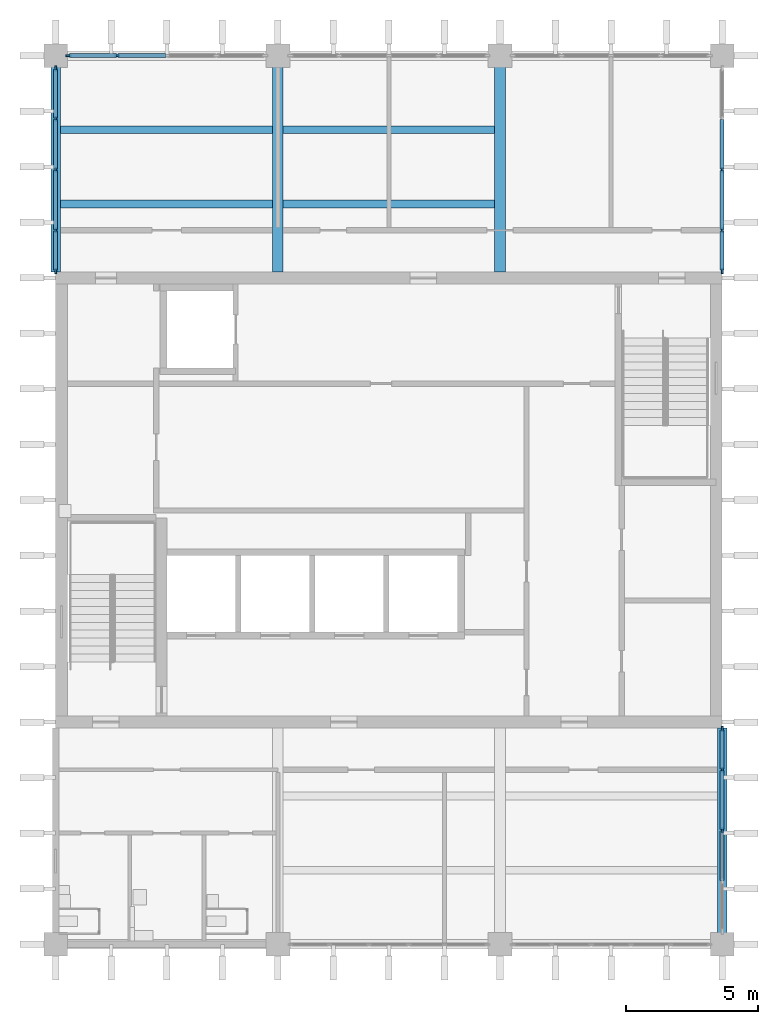
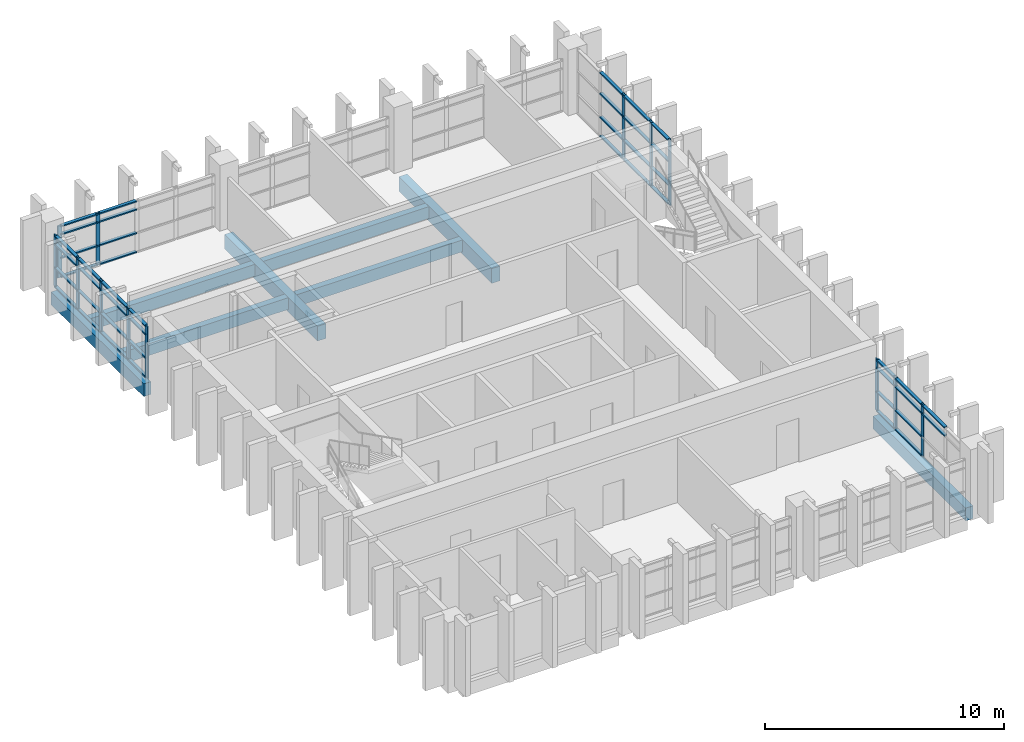
# One storey, part 3 of 10: 59 members, 8 beams, 4 elements without a shape of their own.
"""IFC4 building model written with IfcOpenShell, lengths in metres."""

import ifcopenshell
import ifcopenshell.guid

model = None  # the IFC model being written
_history = None  # IfcOwnerHistory: only IFC2X3 demands one
_inside = {}  # id of a spatial element -> (the spatial element, [elements in it])
_under = {}  # id of a project, library or spatial element -> (it, [spatial elements below it])
_declared = {}  # id of a project -> (the project, [libraries it declares])
_typed = {}  # id of a type object -> (the type object, [elements of that type])
_made_of = {}  # id of a material, layer set ... -> (it, [elements and type objects made of it])


def new_model(schema):
    """Start an empty IFC model of exactly this schema.

    Asked for "IFC4X3", IfcOpenShell would pick the latest addendum, in which some entities
    have other attributes; the version numbers below select the first issue.
    IFC2X3 requires an IfcOwnerHistory on every rooted entity: one is made here for all.
    """
    global model, _history
    if schema == "IFC4X3":
        model = ifcopenshell.file(schema_version=(4, 3, 0, 0))
    else:
        model = ifcopenshell.file(schema=schema)
    _inside.clear()
    _under.clear()
    _declared.clear()
    _typed.clear()
    _made_of.clear()
    _history = None
    if model.schema == "IFC2X3":
        org = make("IfcOrganization", Name="unknown")
        user = make(
            "IfcPersonAndOrganization",
            ThePerson=make("IfcPerson", FamilyName="unknown"),
            TheOrganization=org,
        )
        app = make(
            "IfcApplication",
            ApplicationDeveloper=org,
            Version="unknown",
            ApplicationFullName="unknown",
            ApplicationIdentifier="unknown",
        )
        _history = make(
            "IfcOwnerHistory",
            OwningUser=user,
            OwningApplication=app,
            ChangeAction="ADDED",
            CreationDate=0,
        )
    return model


def make(cls, **values):
    """One entity of the class cls with the attributes given. An attribute that is None is left unset."""
    return model.create_entity(
        cls, **{name: value for name, value in values.items() if value is not None}
    )


def rooted(cls, **values):
    """An entity with a GlobalId (a new one), such as an element, a storey or a relation."""
    return make(cls, GlobalId=ifcopenshell.guid.new(), OwnerHistory=_history, **values)


def si_unit(unit_type, name, prefix=None):
    """IfcSIUnit, for example si_unit("LENGTHUNIT", "METRE", prefix="MILLI")."""
    return make("IfcSIUnit", UnitType=unit_type, Prefix=prefix, Name=name)


def assignment(units):
    """IfcUnitAssignment: the units of a project."""
    return None if units is None else make("IfcUnitAssignment", Units=units)


def point(xyz):
    """IfcCartesianPoint."""
    return None if xyz is None else make("IfcCartesianPoint", Coordinates=xyz)


def direction(xyz):
    """IfcDirection."""
    return None if xyz is None else make("IfcDirection", DirectionRatios=xyz)


def frame(location, z_axis=None, x_axis=None):
    """IfcAxis2Placement3D, a coordinate frame: its origin and axes. An axis left out is left unset."""
    return make(
        "IfcAxis2Placement3D",
        Location=point(location),
        Axis=direction(z_axis),
        RefDirection=direction(x_axis),
    )


def frame_2d(location, x_axis=None):
    """IfcAxis2Placement2D, a coordinate frame in the plane: its origin and x axis."""
    return make(
        "IfcAxis2Placement2D", Location=point(location), RefDirection=direction(x_axis)
    )


def origin():
    """The frame at (0, 0, 0) with its axes left unset."""
    return frame((0.0, 0.0, 0.0))


def origin_2d():
    """The frame at (0, 0) in the plane with its x axis left unset."""
    return frame_2d((0.0, 0.0))


def place(relative_to, where):
    """IfcLocalPlacement: puts the frame where relative to a parent placement (None: the world)."""
    return make(
        "IfcLocalPlacement", PlacementRelTo=relative_to, RelativePlacement=where
    )


def context(
    kind, dimensions, precision=None, world=None, true_north=None, identifier=None
):
    """IfcGeometricRepresentationContext, for example the 3D "Model" context."""
    return make(
        "IfcGeometricRepresentationContext",
        ContextIdentifier=identifier,
        ContextType=kind,
        CoordinateSpaceDimension=dimensions,
        Precision=precision,
        WorldCoordinateSystem=world,
        TrueNorth=true_north,
    )


def subcontext(parent, identifier, kind, view, scale=None):
    """IfcGeometricRepresentationSubContext, for example "Body" below "Model"."""
    return make(
        "IfcGeometricRepresentationSubContext",
        ContextIdentifier=identifier,
        ContextType=kind,
        ParentContext=parent,
        TargetScale=scale,
        TargetView=view,
    )


def project(units=None, contexts=None):
    """IfcProject with its units and contexts."""
    return rooted(
        "IfcProject",
        Name="project",
        RepresentationContexts=contexts,
        UnitsInContext=assignment(units),
    )


def spatial(cls, under=None, at=None, **own):
    """A site, building, storey or space (cls), placed at a placement, below another one or the project."""
    s = rooted(cls, ObjectPlacement=at, **own)
    if under is not None:
        _under.setdefault(under.id(), (under, []))[1].append(s)
    return s


def profile(cls, at=None, kind="AREA", **sizes):
    """A parametric profile (cls). Its sizes go by their IFC names, for example OverallWidth=200.0."""
    return make(cls, ProfileType=kind, Position=at, **sizes)


def rectangle(**sizes):
    """IfcRectangleProfileDef."""
    return profile("IfcRectangleProfileDef", **sizes)


def extrude(swept, where, along, depth):
    """IfcExtrudedAreaSolid: the profile swept, set in the frame where, extruded along a direction by depth."""
    return make(
        "IfcExtrudedAreaSolid",
        SweptArea=swept,
        Position=where,
        ExtrudedDirection=direction(along),
        Depth=depth,
    )


def shape(context_of_items, identifier, shape_type, items):
    """IfcShapeRepresentation: the items that make up one representation, for example the "Body"."""
    return make(
        "IfcShapeRepresentation",
        ContextOfItems=context_of_items,
        RepresentationIdentifier=identifier,
        RepresentationType=shape_type,
        Items=items,
    )


def material(Name=None, Category=None):
    """IfcMaterial."""
    return make("IfcMaterial", Name=Name, Category=Category)


def layer(
    of_material, thickness, ventilated=None, Name=None, Category=None, Priority=None
):
    """IfcMaterialLayer: one layer of a wall or slab, of a material (None: an air gap)."""
    return make(
        "IfcMaterialLayer",
        Material=of_material,
        LayerThickness=thickness,
        IsVentilated=ventilated,
        Name=Name,
        Category=Category,
        Priority=Priority,
    )


def layer_set(layers, Name=None):
    """IfcMaterialLayerSet."""
    return make("IfcMaterialLayerSet", MaterialLayers=layers, LayerSetName=Name)


def material_profile(
    of_material, cross_section, Name=None, Category=None, Priority=None
):
    """IfcMaterialProfile: a cross section and its material."""
    return make(
        "IfcMaterialProfile",
        Name=Name,
        Material=of_material,
        Profile=cross_section,
        Priority=Priority,
        Category=Category,
    )


def profile_set(profiles, Name=None, composite=None):
    """IfcMaterialProfileSet."""
    return make(
        "IfcMaterialProfileSet",
        Name=Name,
        MaterialProfiles=profiles,
        CompositeProfile=composite,
    )


def made_of(thing, what):
    """Note that an element or type object is made of a material, layer set ...; save() writes the relation."""
    if what is not None:
        _made_of.setdefault(what.id(), (what, []))[1].append(thing)
    return thing


def type_object(cls, material=None, **own):
    """A type object (cls), such as IfcWallType, which elements share."""
    return made_of(rooted(cls, **own), material)


def element(
    cls,
    number,
    at=None,
    inside=None,
    cuts=None,
    type_object=None,
    material=None,
    context=None,
    identifier="Body",
    shape_type=None,
    held_by="IfcProductDefinitionShape",
    body=None,
    shapes=None,
    **own,
):
    """One element of the class cls, such as IfcWall. Its Tag is "e" and its number.

    at: its placement. inside: the storey or other place that contains it. cuts: it is an
    opening in that element (IfcRelVoidsElement). A single representation is given by context,
    identifier, shape_type and body (its items); several are given by shapes. held_by: the class
    of the entity that holds the representations. save() writes the other relations.
    """
    e = rooted(cls, Tag="e%d" % number, ObjectPlacement=at, **own)
    if body is not None:
        shapes = [shape(context, identifier, shape_type, body)]
    if shapes is not None:
        e.Representation = make(held_by, Representations=shapes)
    if inside is not None:
        _inside.setdefault(inside.id(), (inside, []))[1].append(e)
    if cuts is not None:
        rooted(
            "IfcRelVoidsElement", RelatingBuildingElement=cuts, RelatedOpeningElement=e
        )
    if type_object is not None:
        _typed.setdefault(type_object.id(), (type_object, []))[1].append(e)
    return made_of(e, material)


def aggregate(whole, parts):
    """IfcRelAggregates: a whole, such as a stair, and the parts it consists of."""
    return rooted("IfcRelAggregates", RelatingObject=whole, RelatedObjects=parts)


def save(model, path):
    """Write the relations noted so far, then the file.

    IfcRelAggregates (storeys below a building ...), IfcRelContainedInSpatialStructure (elements
    in a storey), IfcRelDefinesByType, IfcRelAssociatesMaterial and IfcRelDeclares: one each for
    every whole, place, type object, material and project.
    """
    for whole, parts in _under.values():
        aggregate(whole, parts)
    for where, things in _inside.values():
        rooted(
            "IfcRelContainedInSpatialStructure",
            RelatedElements=things,
            RelatingStructure=where,
        )
    for kind, things in _typed.values():
        rooted("IfcRelDefinesByType", RelatedObjects=things, RelatingType=kind)
    for what, things in _made_of.values():
        rooted("IfcRelAssociatesMaterial", RelatedObjects=things, RelatingMaterial=what)
    for by, libraries in _declared.values():
        rooted("IfcRelDeclares", RelatingContext=by, RelatedDefinitions=libraries)
    model.write(path)


model = new_model("IFC4")

# Units and contexts
model_context = context("Model", 3, precision=1e-05, world=origin(), true_north=direction((0.0, 1.0)))
body_context = subcontext(model_context, "Body", "Model", "MODEL_VIEW")
ifc_project = project(units=[si_unit("LENGTHUNIT", "METRE"), si_unit("AREAUNIT", "SQUARE_METRE"), si_unit("VOLUMEUNIT", "CUBIC_METRE"), si_unit("PLANEANGLEUNIT", "RADIAN"), si_unit("MASSUNIT", "GRAM", prefix="KILO")], contexts=[model_context])

# Site, building, storey
site_placement = place(None, origin())
site = spatial("IfcSite", under=ifc_project, at=site_placement, CompositionType="ELEMENT")
building_placement = place(site_placement, origin())
building = spatial("IfcBuilding", under=site, at=building_placement, Name="Rulbaag Community and Learning Centre", CompositionType="ELEMENT")
storey_placement = place(building_placement, frame((0.0, 0.0, 28.800048828125)))
storey = spatial("IfcBuildingStorey", under=building, at=storey_placement, Name="L07", CompositionType="ELEMENT", Elevation=28.800048828125)

# Beams
ifc_material_1 = material(Name="Concrete M40", Category="concrete")
ifc_material_profile_1 = material_profile(ifc_material_1, rectangle(XDim=0.35009765625, YDim=0.64990234375, at=origin_2d()), Name="RB350x650")
ifc_profile_set_1 = profile_set([ifc_material_profile_1], Name="Concrete M40")
beam_type_1 = type_object("IfcBeamType", Name="B14 Tower edge beam, upper zone 350x650 Concrete M40", PredefinedType="BEAM", material=ifc_profile_set_1)
beam_1_placement = place(storey_placement, frame((142.800048828125, 109.425048828125, -0.574951171875), z_axis=(0.0, 1.0, 0.0), x_axis=(-1.0, 0.0, 0.0)))
element("IfcBeam", 1, at=beam_1_placement, inside=storey, type_object=beam_type_1, Name="BM-L07-18N-18O", PredefinedType="BEAM", context=body_context, shape_type="SweptSolid", body=[
    extrude(rectangle(XDim=0.35009765625, YDim=0.64990234375, at=origin_2d()), origin(), (0.0, 0.0, 1.0), 7.744873046875),
])
beam_2_placement = place(storey_placement, frame((168.0, 84.429931640625, -0.574951171875), z_axis=(0.0, 1.0, 0.0), x_axis=(-1.0, 0.0, 0.0)))
element("IfcBeam", 2, at=beam_2_placement, inside=storey, type_object=beam_type_1, Name="BM-L07-21K-21L", PredefinedType="BEAM", context=body_context, shape_type="SweptSolid", body=[
    extrude(rectangle(XDim=0.35009765625, YDim=0.64990234375, at=origin_2d()), origin(), (0.0, 0.0, 1.0), 7.7451171875),
])
ifc_material_profile_2 = material_profile(ifc_material_1, rectangle(XDim=0.39990234375, YDim=0.75, at=origin_2d()), Name="RB400x750")
ifc_profile_set_2 = profile_set([ifc_material_profile_2], Name="Concrete M40")
beam_type_2 = type_object("IfcBeamType", Name="B15 Tower frame beam, middle zone 400x750 Concrete M40", PredefinedType="BEAM", material=ifc_profile_set_2)
for number, where, z_axis, x_axis, name in (
    (3, (151.199951171875, 109.425048828125, -0.625), (0.0, 1.0, 0.0), (-1.0, 0.0, 0.0), "BM-L07-19N-19O"),
    (4, (159.60009765625, 109.425048828125, -0.625), (0.0, 1.0, 0.0), (-1.0, 0.0, 0.0), "BM-L07-20N-20O"),
):
    element("IfcBeam", number, at=place(storey_placement, frame(where, z_axis=z_axis, x_axis=x_axis)), inside=storey, type_object=beam_type_2, Name=name, PredefinedType="BEAM", context=body_context, shape_type="SweptSolid", body=[
        extrude(rectangle(XDim=0.39990234375, YDim=0.75, at=origin_2d()), origin(), (0.0, 0.0, 1.0), 7.744873046875),
    ])
ifc_material_profile_3 = material_profile(ifc_material_1, rectangle(XDim=0.300048828125, YDim=0.60009765625, at=origin_2d()), Name="RB300x600")
ifc_profile_set_3 = profile_set([ifc_material_profile_3], Name="Concrete M40")
beam_type_3 = type_object("IfcBeamType", Name="B30 Secondary joist 300x600 Concrete M40", PredefinedType="BEAM", material=ifc_profile_set_3)
for number, where, z_axis, x_axis, name in (
    (5, (142.97509765625, 112.0, -0.550048828125), (1.0, 0.0, 0.0), (0.0, 1.0, 0.0), "BM-JS-L07-18N-1"),
    (6, (142.97509765625, 114.800048828125, -0.550048828125), (1.0, 0.0, 0.0), (0.0, 1.0, 0.0), "BM-JS-L07-18N-2"),
):
    element("IfcBeam", number, at=place(storey_placement, frame(where, z_axis=z_axis, x_axis=x_axis)), inside=storey, type_object=beam_type_3, Name=name, PredefinedType="BEAM", context=body_context, shape_type="SweptSolid", body=[
        extrude(rectangle(XDim=0.300048828125, YDim=0.60009765625, at=origin_2d()), origin(), (0.0, 0.0, 1.0), 8.02490234375),
    ])
for number, where, z_axis, x_axis, name in (
    (7, (151.39990234375, 112.0, -0.550048828125), (1.0, 0.0, 0.0), (0.0, 1.0, 0.0), "BM-JS-L07-19N-1"),
    (8, (151.39990234375, 114.800048828125, -0.550048828125), (1.0, 0.0, 0.0), (0.0, 1.0, 0.0), "BM-JS-L07-19N-2"),
):
    element("IfcBeam", number, at=place(storey_placement, frame(where, z_axis=z_axis, x_axis=x_axis)), inside=storey, type_object=beam_type_3, Name=name, PredefinedType="BEAM", context=body_context, shape_type="SweptSolid", body=[
        extrude(rectangle(XDim=0.300048828125, YDim=0.60009765625, at=origin_2d()), origin(), (0.0, 0.0, 1.0), 8.0),
    ])

# Curtain wall, members
ifc_material_2 = material(Name="Aluminium", Category="aluminium")
ifc_layer = layer(ifc_material_2, 0.14990234375)
ifc_layer_set = layer_set([ifc_layer], Name="CW-T")
curtain_wall_type = type_object("IfcCurtainWallType", Name="CW-T", PredefinedType="USERDEFINED", material=ifc_layer_set)
curtain_wall_1_placement = place(storey_placement, origin())
curtain_wall_1 = element("IfcCurtainWall", 9, at=curtain_wall_1_placement, inside=storey, type_object=curtain_wall_type, Name="GT-L07-01", ObjectType="UNITISED CURTAIN WALL", PredefinedType="USERDEFINED")
ifc_material_3 = material(Name="Aluminium mullion", Category="aluminium")
ifc_material_profile_4 = material_profile(ifc_material_3, rectangle(XDim=0.06494140625, YDim=0.199951171875, at=origin_2d()), Name="AL 65x200")
ifc_profile_set_4 = profile_set([ifc_material_profile_4], Name="Aluminium mullion")
member_type_1 = type_object("IfcMemberType", Name="CW-T-MUL", PredefinedType="MULLION", material=ifc_profile_set_4)
member_1_placement = place(storey_placement, frame((143.282470703125, 117.60009765625, 0.0), z_axis=(0.0, 0.0, 1.0), x_axis=(0.0, 1.0, 0.0)))
member_1 = element("IfcMember", 10, at=member_1_placement, type_object=member_type_1, Name="GT mullion 1", PredefinedType="MULLION", context=body_context, shape_type="SweptSolid", body=[
    extrude(rectangle(XDim=0.06494140625, YDim=0.199951171875, at=origin_2d()), origin(), (0.0, 0.0, 1.0), 2.64990234375),
])
member_2_placement = place(storey_placement, frame((145.125, 117.60009765625, 0.0), z_axis=(0.0, 0.0, 1.0), x_axis=(0.0, 1.0, 0.0)))
member_2 = element("IfcMember", 11, at=member_2_placement, type_object=member_type_1, Name="GT mullion 2", PredefinedType="MULLION", context=body_context, shape_type="SweptSolid", body=[
    extrude(rectangle(XDim=0.06494140625, YDim=0.199951171875, at=origin_2d()), origin(), (0.0, 0.0, 1.0), 2.64990234375),
])

curtain_wall_2_placement = place(storey_placement, origin())
curtain_wall_2 = element("IfcCurtainWall", 12, at=curtain_wall_2_placement, inside=storey, type_object=curtain_wall_type, Name="GT-L07-04", ObjectType="UNITISED CURTAIN WALL", PredefinedType="USERDEFINED")
member_3_placement = place(storey_placement, frame((142.800048828125, 109.45751953125, 0.0), z_axis=(0.0, 0.0, 1.0), x_axis=(-1.0, 0.0, 0.0)))
member_3 = element("IfcMember", 13, at=member_3_placement, type_object=member_type_1, Name="GT mullion 1", PredefinedType="MULLION", context=body_context, shape_type="SweptSolid", body=[
    extrude(rectangle(XDim=0.06494140625, YDim=0.199951171875, at=origin_2d()), origin(), (0.0, 0.0, 1.0), 2.64990234375),
])
member_4_placement = place(storey_placement, frame((142.800048828125, 111.0, 0.0), z_axis=(0.0, 0.0, 1.0), x_axis=(-1.0, 0.0, 0.0)))
member_4 = element("IfcMember", 14, at=member_4_placement, type_object=member_type_1, Name="GT mullion 2", PredefinedType="MULLION", context=body_context, shape_type="SweptSolid", body=[
    extrude(rectangle(XDim=0.06494140625, YDim=0.199951171875, at=origin_2d()), origin(), (0.0, 0.0, 1.0), 2.64990234375),
])
member_5_placement = place(storey_placement, frame((142.800048828125, 113.28759765625, 0.0), z_axis=(0.0, 0.0, 1.0), x_axis=(-1.0, 0.0, 0.0)))
member_5 = element("IfcMember", 15, at=member_5_placement, type_object=member_type_1, Name="GT mullion 3", PredefinedType="MULLION", context=body_context, shape_type="SweptSolid", body=[
    extrude(rectangle(XDim=0.06494140625, YDim=0.199951171875, at=origin_2d()), origin(), (0.0, 0.0, 1.0), 2.64990234375),
])
member_6_placement = place(storey_placement, frame((142.800048828125, 115.21875, 0.0), z_axis=(0.0, 0.0, 1.0), x_axis=(-1.0, 0.0, 0.0)))
member_6 = element("IfcMember", 16, at=member_6_placement, type_object=member_type_1, Name="GT mullion 4", PredefinedType="MULLION", context=body_context, shape_type="SweptSolid", body=[
    extrude(rectangle(XDim=0.06494140625, YDim=0.199951171875, at=origin_2d()), origin(), (0.0, 0.0, 1.0), 2.64990234375),
])
member_7_placement = place(storey_placement, frame((142.800048828125, 117.117431640625, 0.0), z_axis=(0.0, 0.0, 1.0), x_axis=(-1.0, 0.0, 0.0)))
member_7 = element("IfcMember", 17, at=member_7_placement, type_object=member_type_1, Name="GT mullion 5", PredefinedType="MULLION", context=body_context, shape_type="SweptSolid", body=[
    extrude(rectangle(XDim=0.06494140625, YDim=0.199951171875, at=origin_2d()), origin(), (0.0, 0.0, 1.0), 2.64990234375),
])

curtain_wall_3_placement = place(storey_placement, origin())
curtain_wall_3 = element("IfcCurtainWall", 18, at=curtain_wall_3_placement, inside=storey, type_object=curtain_wall_type, Name="GT-L07-05", ObjectType="UNITISED CURTAIN WALL", PredefinedType="USERDEFINED")
member_8_placement = place(storey_placement, frame((168.0, 88.3125, 0.0), z_axis=(0.0, 0.0, 1.0), x_axis=(-1.0, 0.0, 0.0)))
member_8 = element("IfcMember", 19, at=member_8_placement, type_object=member_type_1, Name="GT mullion 3", PredefinedType="MULLION", context=body_context, shape_type="SweptSolid", body=[
    extrude(rectangle(XDim=0.06494140625, YDim=0.199951171875, at=origin_2d()), origin(), (0.0, 0.0, 1.0), 2.64990234375),
])
member_9_placement = place(storey_placement, frame((168.0, 90.60009765625, 0.0), z_axis=(0.0, 0.0, 1.0), x_axis=(-1.0, 0.0, 0.0)))
member_9 = element("IfcMember", 20, at=member_9_placement, type_object=member_type_1, Name="GT mullion 4", PredefinedType="MULLION", context=body_context, shape_type="SweptSolid", body=[
    extrude(rectangle(XDim=0.06494140625, YDim=0.199951171875, at=origin_2d()), origin(), (0.0, 0.0, 1.0), 2.64990234375),
])
member_10_placement = place(storey_placement, frame((168.0, 92.142578125, 0.0), z_axis=(0.0, 0.0, 1.0), x_axis=(-1.0, 0.0, 0.0)))
member_10 = element("IfcMember", 21, at=member_10_placement, type_object=member_type_1, Name="GT mullion 5", PredefinedType="MULLION", context=body_context, shape_type="SweptSolid", body=[
    extrude(rectangle(XDim=0.06494140625, YDim=0.199951171875, at=origin_2d()), origin(), (0.0, 0.0, 1.0), 2.64990234375),
])

curtain_wall_4_placement = place(storey_placement, origin())
curtain_wall_4 = element("IfcCurtainWall", 22, at=curtain_wall_4_placement, inside=storey, type_object=curtain_wall_type, Name="GT-L07-06", ObjectType="UNITISED CURTAIN WALL", PredefinedType="USERDEFINED")
member_11_placement = place(storey_placement, frame((168.0, 109.45751953125, 0.0), z_axis=(0.0, 0.0, 1.0), x_axis=(-1.0, 0.0, 0.0)))
member_11 = element("IfcMember", 23, at=member_11_placement, type_object=member_type_1, Name="GT mullion 1", PredefinedType="MULLION", context=body_context, shape_type="SweptSolid", body=[
    extrude(rectangle(XDim=0.06494140625, YDim=0.199951171875, at=origin_2d()), origin(), (0.0, 0.0, 1.0), 3.300048828125),
])
member_12_placement = place(storey_placement, frame((168.0, 111.0, 0.0), z_axis=(0.0, 0.0, 1.0), x_axis=(-1.0, 0.0, 0.0)))
member_12 = element("IfcMember", 24, at=member_12_placement, type_object=member_type_1, Name="GT mullion 2", PredefinedType="MULLION", context=body_context, shape_type="SweptSolid", body=[
    extrude(rectangle(XDim=0.06494140625, YDim=0.199951171875, at=origin_2d()), origin(), (0.0, 0.0, 1.0), 3.300048828125),
])
member_13_placement = place(storey_placement, frame((168.0, 113.28759765625, 0.0), z_axis=(0.0, 0.0, 1.0), x_axis=(-1.0, 0.0, 0.0)))
member_13 = element("IfcMember", 25, at=member_13_placement, type_object=member_type_1, Name="GT mullion 3", PredefinedType="MULLION", context=body_context, shape_type="SweptSolid", body=[
    extrude(rectangle(XDim=0.06494140625, YDim=0.199951171875, at=origin_2d()), origin(), (0.0, 0.0, 1.0), 3.300048828125),
])

# Member
ifc_material_4 = material(Name="Aluminium transom", Category="aluminium")
ifc_material_profile_5 = material_profile(ifc_material_4, rectangle(XDim=0.14990234375, YDim=0.06494140625, at=origin_2d()), Name="AL 65x150 T")
ifc_profile_set_5 = profile_set([ifc_material_profile_5], Name="Aluminium transom")
member_type_2 = type_object("IfcMemberType", Name="CW-T-TRN", PredefinedType="USERDEFINED", material=ifc_profile_set_5)
member_14_placement = place(storey_placement, frame((143.31494140625, 117.60009765625, 0.032470703125), z_axis=(1.0, 0.0, 0.0), x_axis=(0.0, 1.0, 0.0)))
member_14 = element("IfcMember", 26, at=member_14_placement, type_object=member_type_2, Name="GT transom 1.1", ObjectType="TRANSOM", PredefinedType="USERDEFINED", context=body_context, shape_type="SweptSolid", body=[
    extrude(rectangle(XDim=0.14990234375, YDim=0.06494140625, at=origin_2d()), origin(), (0.0, 0.0, 1.0), 1.777587890625),
])

member_15_placement = place(storey_placement, frame((143.31494140625, 117.60009765625, 1.0), z_axis=(1.0, 0.0, 0.0), x_axis=(0.0, 1.0, 0.0)))
member_15 = element("IfcMember", 27, at=member_15_placement, type_object=member_type_2, Name="GT transom 1.2", ObjectType="TRANSOM", PredefinedType="USERDEFINED", context=body_context, shape_type="SweptSolid", body=[
    extrude(rectangle(XDim=0.14990234375, YDim=0.06494140625, at=origin_2d()), origin(), (0.0, 0.0, 1.0), 1.777587890625),
])

member_16_placement = place(storey_placement, frame((143.31494140625, 117.60009765625, 2.199951171875), z_axis=(1.0, 0.0, 0.0), x_axis=(0.0, 1.0, 0.0)))
member_16 = element("IfcMember", 28, at=member_16_placement, type_object=member_type_2, Name="GT transom 1.3", ObjectType="TRANSOM", PredefinedType="USERDEFINED", context=body_context, shape_type="SweptSolid", body=[
    extrude(rectangle(XDim=0.14990234375, YDim=0.06494140625, at=origin_2d()), origin(), (0.0, 0.0, 1.0), 1.777587890625),
])

member_17_placement = place(storey_placement, frame((143.31494140625, 117.60009765625, 2.617431640625), z_axis=(1.0, 0.0, 0.0), x_axis=(0.0, 1.0, 0.0)))
member_17 = element("IfcMember", 29, at=member_17_placement, type_object=member_type_2, Name="GT transom 1.4", ObjectType="TRANSOM", PredefinedType="USERDEFINED", context=body_context, shape_type="SweptSolid", body=[
    extrude(rectangle(XDim=0.14990234375, YDim=0.06494140625, at=origin_2d()), origin(), (0.0, 0.0, 1.0), 1.777587890625),
])

member_18_placement = place(storey_placement, frame((145.157470703125, 117.60009765625, 0.032470703125), z_axis=(1.0, 0.0, 0.0), x_axis=(0.0, 1.0, 0.0)))
member_18 = element("IfcMember", 30, at=member_18_placement, type_object=member_type_2, Name="GT transom 2.1", ObjectType="TRANSOM", PredefinedType="USERDEFINED", context=body_context, shape_type="SweptSolid", body=[
    extrude(rectangle(XDim=0.14990234375, YDim=0.06494140625, at=origin_2d()), origin(), (0.0, 0.0, 1.0), 1.81005859375),
])

member_19_placement = place(storey_placement, frame((145.157470703125, 117.60009765625, 1.0), z_axis=(1.0, 0.0, 0.0), x_axis=(0.0, 1.0, 0.0)))
member_19 = element("IfcMember", 31, at=member_19_placement, type_object=member_type_2, Name="GT transom 2.2", ObjectType="TRANSOM", PredefinedType="USERDEFINED", context=body_context, shape_type="SweptSolid", body=[
    extrude(rectangle(XDim=0.14990234375, YDim=0.06494140625, at=origin_2d()), origin(), (0.0, 0.0, 1.0), 1.81005859375),
])

member_20_placement = place(storey_placement, frame((145.157470703125, 117.60009765625, 2.199951171875), z_axis=(1.0, 0.0, 0.0), x_axis=(0.0, 1.0, 0.0)))
member_20 = element("IfcMember", 32, at=member_20_placement, type_object=member_type_2, Name="GT transom 2.3", ObjectType="TRANSOM", PredefinedType="USERDEFINED", context=body_context, shape_type="SweptSolid", body=[
    extrude(rectangle(XDim=0.14990234375, YDim=0.06494140625, at=origin_2d()), origin(), (0.0, 0.0, 1.0), 1.81005859375),
])

member_21_placement = place(storey_placement, frame((145.157470703125, 117.60009765625, 2.617431640625), z_axis=(1.0, 0.0, 0.0), x_axis=(0.0, 1.0, 0.0)))
member_21 = element("IfcMember", 33, at=member_21_placement, type_object=member_type_2, Name="GT transom 2.4", ObjectType="TRANSOM", PredefinedType="USERDEFINED", context=body_context, shape_type="SweptSolid", body=[
    extrude(rectangle(XDim=0.14990234375, YDim=0.06494140625, at=origin_2d()), origin(), (0.0, 0.0, 1.0), 1.81005859375),
])

aggregate(curtain_wall_1, [member_1, member_2, member_14, member_15, member_16, member_17, member_18, member_19, member_20, member_21])

member_22_placement = place(storey_placement, frame((142.800048828125, 109.489990234375, 0.032470703125), z_axis=(0.0, 1.0, 0.0), x_axis=(-1.0, 0.0, 0.0)))
member_22 = element("IfcMember", 34, at=member_22_placement, type_object=member_type_2, Name="GT transom 1.1", ObjectType="TRANSOM", PredefinedType="USERDEFINED", context=body_context, shape_type="SweptSolid", body=[
    extrude(rectangle(XDim=0.14990234375, YDim=0.06494140625, at=origin_2d()), origin(), (0.0, 0.0, 1.0), 1.4775390625),
])

member_23_placement = place(storey_placement, frame((142.800048828125, 109.489990234375, 1.0), z_axis=(0.0, 1.0, 0.0), x_axis=(-1.0, 0.0, 0.0)))
member_23 = element("IfcMember", 35, at=member_23_placement, type_object=member_type_2, Name="GT transom 1.2", ObjectType="TRANSOM", PredefinedType="USERDEFINED", context=body_context, shape_type="SweptSolid", body=[
    extrude(rectangle(XDim=0.14990234375, YDim=0.06494140625, at=origin_2d()), origin(), (0.0, 0.0, 1.0), 1.4775390625),
])

member_24_placement = place(storey_placement, frame((142.800048828125, 109.489990234375, 2.199951171875), z_axis=(0.0, 1.0, 0.0), x_axis=(-1.0, 0.0, 0.0)))
member_24 = element("IfcMember", 36, at=member_24_placement, type_object=member_type_2, Name="GT transom 1.3", ObjectType="TRANSOM", PredefinedType="USERDEFINED", context=body_context, shape_type="SweptSolid", body=[
    extrude(rectangle(XDim=0.14990234375, YDim=0.06494140625, at=origin_2d()), origin(), (0.0, 0.0, 1.0), 1.4775390625),
])

member_25_placement = place(storey_placement, frame((142.800048828125, 109.489990234375, 2.617431640625), z_axis=(0.0, 1.0, 0.0), x_axis=(-1.0, 0.0, 0.0)))
member_25 = element("IfcMember", 37, at=member_25_placement, type_object=member_type_2, Name="GT transom 1.4", ObjectType="TRANSOM", PredefinedType="USERDEFINED", context=body_context, shape_type="SweptSolid", body=[
    extrude(rectangle(XDim=0.14990234375, YDim=0.06494140625, at=origin_2d()), origin(), (0.0, 0.0, 1.0), 1.4775390625),
])

member_26_placement = place(storey_placement, frame((142.800048828125, 111.032470703125, 0.032470703125), z_axis=(0.0, 1.0, 0.0), x_axis=(-1.0, 0.0, 0.0)))
member_26 = element("IfcMember", 38, at=member_26_placement, type_object=member_type_2, Name="GT transom 2.1", ObjectType="TRANSOM", PredefinedType="USERDEFINED", context=body_context, shape_type="SweptSolid", body=[
    extrude(rectangle(XDim=0.14990234375, YDim=0.06494140625, at=origin_2d()), origin(), (0.0, 0.0, 1.0), 2.222412109375),
])

member_27_placement = place(storey_placement, frame((142.800048828125, 111.032470703125, 1.0), z_axis=(0.0, 1.0, 0.0), x_axis=(-1.0, 0.0, 0.0)))
member_27 = element("IfcMember", 39, at=member_27_placement, type_object=member_type_2, Name="GT transom 2.2", ObjectType="TRANSOM", PredefinedType="USERDEFINED", context=body_context, shape_type="SweptSolid", body=[
    extrude(rectangle(XDim=0.14990234375, YDim=0.06494140625, at=origin_2d()), origin(), (0.0, 0.0, 1.0), 2.222412109375),
])

member_28_placement = place(storey_placement, frame((142.800048828125, 111.032470703125, 2.199951171875), z_axis=(0.0, 1.0, 0.0), x_axis=(-1.0, 0.0, 0.0)))
member_28 = element("IfcMember", 40, at=member_28_placement, type_object=member_type_2, Name="GT transom 2.3", ObjectType="TRANSOM", PredefinedType="USERDEFINED", context=body_context, shape_type="SweptSolid", body=[
    extrude(rectangle(XDim=0.14990234375, YDim=0.06494140625, at=origin_2d()), origin(), (0.0, 0.0, 1.0), 2.222412109375),
])

member_29_placement = place(storey_placement, frame((142.800048828125, 111.032470703125, 2.617431640625), z_axis=(0.0, 1.0, 0.0), x_axis=(-1.0, 0.0, 0.0)))
member_29 = element("IfcMember", 41, at=member_29_placement, type_object=member_type_2, Name="GT transom 2.4", ObjectType="TRANSOM", PredefinedType="USERDEFINED", context=body_context, shape_type="SweptSolid", body=[
    extrude(rectangle(XDim=0.14990234375, YDim=0.06494140625, at=origin_2d()), origin(), (0.0, 0.0, 1.0), 2.222412109375),
])

member_30_placement = place(storey_placement, frame((142.800048828125, 113.320068359375, 0.032470703125), z_axis=(0.0, 1.0, 0.0), x_axis=(-1.0, 0.0, 0.0)))
member_30 = element("IfcMember", 42, at=member_30_placement, type_object=member_type_2, Name="GT transom 3.1", ObjectType="TRANSOM", PredefinedType="USERDEFINED", context=body_context, shape_type="SweptSolid", body=[
    extrude(rectangle(XDim=0.14990234375, YDim=0.06494140625, at=origin_2d()), origin(), (0.0, 0.0, 1.0), 1.8662109375),
])

member_31_placement = place(storey_placement, frame((142.800048828125, 113.320068359375, 1.0), z_axis=(0.0, 1.0, 0.0), x_axis=(-1.0, 0.0, 0.0)))
member_31 = element("IfcMember", 43, at=member_31_placement, type_object=member_type_2, Name="GT transom 3.2", ObjectType="TRANSOM", PredefinedType="USERDEFINED", context=body_context, shape_type="SweptSolid", body=[
    extrude(rectangle(XDim=0.14990234375, YDim=0.06494140625, at=origin_2d()), origin(), (0.0, 0.0, 1.0), 1.8662109375),
])

member_32_placement = place(storey_placement, frame((142.800048828125, 113.320068359375, 2.199951171875), z_axis=(0.0, 1.0, 0.0), x_axis=(-1.0, 0.0, 0.0)))
member_32 = element("IfcMember", 44, at=member_32_placement, type_object=member_type_2, Name="GT transom 3.3", ObjectType="TRANSOM", PredefinedType="USERDEFINED", context=body_context, shape_type="SweptSolid", body=[
    extrude(rectangle(XDim=0.14990234375, YDim=0.06494140625, at=origin_2d()), origin(), (0.0, 0.0, 1.0), 1.8662109375),
])

member_33_placement = place(storey_placement, frame((142.800048828125, 113.320068359375, 2.617431640625), z_axis=(0.0, 1.0, 0.0), x_axis=(-1.0, 0.0, 0.0)))
member_33 = element("IfcMember", 45, at=member_33_placement, type_object=member_type_2, Name="GT transom 3.4", ObjectType="TRANSOM", PredefinedType="USERDEFINED", context=body_context, shape_type="SweptSolid", body=[
    extrude(rectangle(XDim=0.14990234375, YDim=0.06494140625, at=origin_2d()), origin(), (0.0, 0.0, 1.0), 1.8662109375),
])

member_34_placement = place(storey_placement, frame((142.800048828125, 115.251220703125, 0.032470703125), z_axis=(0.0, 1.0, 0.0), x_axis=(-1.0, 0.0, 0.0)))
member_34 = element("IfcMember", 46, at=member_34_placement, type_object=member_type_2, Name="GT transom 4.1", ObjectType="TRANSOM", PredefinedType="USERDEFINED", context=body_context, shape_type="SweptSolid", body=[
    extrude(rectangle(XDim=0.14990234375, YDim=0.06494140625, at=origin_2d()), origin(), (0.0, 0.0, 1.0), 1.833740234375),
])

member_35_placement = place(storey_placement, frame((142.800048828125, 115.251220703125, 1.0), z_axis=(0.0, 1.0, 0.0), x_axis=(-1.0, 0.0, 0.0)))
member_35 = element("IfcMember", 47, at=member_35_placement, type_object=member_type_2, Name="GT transom 4.2", ObjectType="TRANSOM", PredefinedType="USERDEFINED", context=body_context, shape_type="SweptSolid", body=[
    extrude(rectangle(XDim=0.14990234375, YDim=0.06494140625, at=origin_2d()), origin(), (0.0, 0.0, 1.0), 1.833740234375),
])

member_36_placement = place(storey_placement, frame((142.800048828125, 115.251220703125, 2.199951171875), z_axis=(0.0, 1.0, 0.0), x_axis=(-1.0, 0.0, 0.0)))
member_36 = element("IfcMember", 48, at=member_36_placement, type_object=member_type_2, Name="GT transom 4.3", ObjectType="TRANSOM", PredefinedType="USERDEFINED", context=body_context, shape_type="SweptSolid", body=[
    extrude(rectangle(XDim=0.14990234375, YDim=0.06494140625, at=origin_2d()), origin(), (0.0, 0.0, 1.0), 1.833740234375),
])

member_37_placement = place(storey_placement, frame((142.800048828125, 115.251220703125, 2.617431640625), z_axis=(0.0, 1.0, 0.0), x_axis=(-1.0, 0.0, 0.0)))
member_37 = element("IfcMember", 49, at=member_37_placement, type_object=member_type_2, Name="GT transom 4.4", ObjectType="TRANSOM", PredefinedType="USERDEFINED", context=body_context, shape_type="SweptSolid", body=[
    extrude(rectangle(XDim=0.14990234375, YDim=0.06494140625, at=origin_2d()), origin(), (0.0, 0.0, 1.0), 1.833740234375),
])

aggregate(curtain_wall_2, [member_3, member_4, member_5, member_6, member_7, member_22, member_23, member_24, member_25, member_26, member_27, member_28, member_29, member_30, member_31, member_32, member_33, member_34, member_35, member_36, member_37])

member_38_placement = place(storey_placement, frame((168.0, 86.413818359375, 2.199951171875), z_axis=(0.0, 1.0, 0.0), x_axis=(-1.0, 0.0, 0.0)))
member_38 = element("IfcMember", 50, at=member_38_placement, type_object=member_type_2, Name="GT transom 2.3", ObjectType="TRANSOM", PredefinedType="USERDEFINED", context=body_context, shape_type="SweptSolid", body=[
    extrude(rectangle(XDim=0.14990234375, YDim=0.06494140625, at=origin_2d()), origin(), (0.0, 0.0, 1.0), 1.8662109375),
])

member_39_placement = place(storey_placement, frame((168.0, 86.413818359375, 2.617431640625), z_axis=(0.0, 1.0, 0.0), x_axis=(-1.0, 0.0, 0.0)))
member_39 = element("IfcMember", 51, at=member_39_placement, type_object=member_type_2, Name="GT transom 2.4", ObjectType="TRANSOM", PredefinedType="USERDEFINED", context=body_context, shape_type="SweptSolid", body=[
    extrude(rectangle(XDim=0.14990234375, YDim=0.06494140625, at=origin_2d()), origin(), (0.0, 0.0, 1.0), 1.8662109375),
])

member_40_placement = place(storey_placement, frame((168.0, 88.344970703125, 0.032470703125), z_axis=(0.0, 1.0, 0.0), x_axis=(-1.0, 0.0, 0.0)))
member_40 = element("IfcMember", 52, at=member_40_placement, type_object=member_type_2, Name="GT transom 3.1", ObjectType="TRANSOM", PredefinedType="USERDEFINED", context=body_context, shape_type="SweptSolid", body=[
    extrude(rectangle(XDim=0.14990234375, YDim=0.06494140625, at=origin_2d()), origin(), (0.0, 0.0, 1.0), 2.222412109375),
])

member_41_placement = place(storey_placement, frame((168.0, 88.344970703125, 1.0), z_axis=(0.0, 1.0, 0.0), x_axis=(-1.0, 0.0, 0.0)))
member_41 = element("IfcMember", 53, at=member_41_placement, type_object=member_type_2, Name="GT transom 3.2", ObjectType="TRANSOM", PredefinedType="USERDEFINED", context=body_context, shape_type="SweptSolid", body=[
    extrude(rectangle(XDim=0.14990234375, YDim=0.06494140625, at=origin_2d()), origin(), (0.0, 0.0, 1.0), 2.222412109375),
])

member_42_placement = place(storey_placement, frame((168.0, 88.344970703125, 2.199951171875), z_axis=(0.0, 1.0, 0.0), x_axis=(-1.0, 0.0, 0.0)))
member_42 = element("IfcMember", 54, at=member_42_placement, type_object=member_type_2, Name="GT transom 3.3", ObjectType="TRANSOM", PredefinedType="USERDEFINED", context=body_context, shape_type="SweptSolid", body=[
    extrude(rectangle(XDim=0.14990234375, YDim=0.06494140625, at=origin_2d()), origin(), (0.0, 0.0, 1.0), 2.222412109375),
])

member_43_placement = place(storey_placement, frame((168.0, 88.344970703125, 2.617431640625), z_axis=(0.0, 1.0, 0.0), x_axis=(-1.0, 0.0, 0.0)))
member_43 = element("IfcMember", 55, at=member_43_placement, type_object=member_type_2, Name="GT transom 3.4", ObjectType="TRANSOM", PredefinedType="USERDEFINED", context=body_context, shape_type="SweptSolid", body=[
    extrude(rectangle(XDim=0.14990234375, YDim=0.06494140625, at=origin_2d()), origin(), (0.0, 0.0, 1.0), 2.222412109375),
])

member_44_placement = place(storey_placement, frame((168.0, 90.632568359375, 0.032470703125), z_axis=(0.0, 1.0, 0.0), x_axis=(-1.0, 0.0, 0.0)))
member_44 = element("IfcMember", 56, at=member_44_placement, type_object=member_type_2, Name="GT transom 4.1", ObjectType="TRANSOM", PredefinedType="USERDEFINED", context=body_context, shape_type="SweptSolid", body=[
    extrude(rectangle(XDim=0.14990234375, YDim=0.06494140625, at=origin_2d()), origin(), (0.0, 0.0, 1.0), 1.4775390625),
])

member_45_placement = place(storey_placement, frame((168.0, 90.632568359375, 1.0), z_axis=(0.0, 1.0, 0.0), x_axis=(-1.0, 0.0, 0.0)))
member_45 = element("IfcMember", 57, at=member_45_placement, type_object=member_type_2, Name="GT transom 4.2", ObjectType="TRANSOM", PredefinedType="USERDEFINED", context=body_context, shape_type="SweptSolid", body=[
    extrude(rectangle(XDim=0.14990234375, YDim=0.06494140625, at=origin_2d()), origin(), (0.0, 0.0, 1.0), 1.4775390625),
])

member_46_placement = place(storey_placement, frame((168.0, 90.632568359375, 2.199951171875), z_axis=(0.0, 1.0, 0.0), x_axis=(-1.0, 0.0, 0.0)))
member_46 = element("IfcMember", 58, at=member_46_placement, type_object=member_type_2, Name="GT transom 4.3", ObjectType="TRANSOM", PredefinedType="USERDEFINED", context=body_context, shape_type="SweptSolid", body=[
    extrude(rectangle(XDim=0.14990234375, YDim=0.06494140625, at=origin_2d()), origin(), (0.0, 0.0, 1.0), 1.4775390625),
])

member_47_placement = place(storey_placement, frame((168.0, 90.632568359375, 2.617431640625), z_axis=(0.0, 1.0, 0.0), x_axis=(-1.0, 0.0, 0.0)))
member_47 = element("IfcMember", 59, at=member_47_placement, type_object=member_type_2, Name="GT transom 4.4", ObjectType="TRANSOM", PredefinedType="USERDEFINED", context=body_context, shape_type="SweptSolid", body=[
    extrude(rectangle(XDim=0.14990234375, YDim=0.06494140625, at=origin_2d()), origin(), (0.0, 0.0, 1.0), 1.4775390625),
])

aggregate(curtain_wall_3, [member_8, member_9, member_10, member_38, member_39, member_40, member_41, member_42, member_43, member_44, member_45, member_46, member_47])

member_48_placement = place(storey_placement, frame((168.0, 109.489990234375, 0.032470703125), z_axis=(0.0, 1.0, 0.0), x_axis=(-1.0, 0.0, 0.0)))
member_48 = element("IfcMember", 60, at=member_48_placement, type_object=member_type_2, Name="GT transom 1.1", ObjectType="TRANSOM", PredefinedType="USERDEFINED", context=body_context, shape_type="SweptSolid", body=[
    extrude(rectangle(XDim=0.14990234375, YDim=0.06494140625, at=origin_2d()), origin(), (0.0, 0.0, 1.0), 1.4775390625),
])

member_49_placement = place(storey_placement, frame((168.0, 109.489990234375, 1.0), z_axis=(0.0, 1.0, 0.0), x_axis=(-1.0, 0.0, 0.0)))
member_49 = element("IfcMember", 61, at=member_49_placement, type_object=member_type_2, Name="GT transom 1.2", ObjectType="TRANSOM", PredefinedType="USERDEFINED", context=body_context, shape_type="SweptSolid", body=[
    extrude(rectangle(XDim=0.14990234375, YDim=0.06494140625, at=origin_2d()), origin(), (0.0, 0.0, 1.0), 1.4775390625),
])

member_50_placement = place(storey_placement, frame((168.0, 109.489990234375, 2.199951171875), z_axis=(0.0, 1.0, 0.0), x_axis=(-1.0, 0.0, 0.0)))
member_50 = element("IfcMember", 62, at=member_50_placement, type_object=member_type_2, Name="GT transom 1.3", ObjectType="TRANSOM", PredefinedType="USERDEFINED", context=body_context, shape_type="SweptSolid", body=[
    extrude(rectangle(XDim=0.14990234375, YDim=0.06494140625, at=origin_2d()), origin(), (0.0, 0.0, 1.0), 1.4775390625),
])

member_51_placement = place(storey_placement, frame((168.0, 109.489990234375, 3.267333984375), z_axis=(0.0, 1.0, 0.0), x_axis=(-1.0, 0.0, 0.0)))
member_51 = element("IfcMember", 63, at=member_51_placement, type_object=member_type_2, Name="GT transom 1.4", ObjectType="TRANSOM", PredefinedType="USERDEFINED", context=body_context, shape_type="SweptSolid", body=[
    extrude(rectangle(XDim=0.14990234375, YDim=0.06494140625, at=origin_2d()), origin(), (0.0, 0.0, 1.0), 1.4775390625),
])

member_52_placement = place(storey_placement, frame((168.0, 111.032470703125, 0.032470703125), z_axis=(0.0, 1.0, 0.0), x_axis=(-1.0, 0.0, 0.0)))
member_52 = element("IfcMember", 64, at=member_52_placement, type_object=member_type_2, Name="GT transom 2.1", ObjectType="TRANSOM", PredefinedType="USERDEFINED", context=body_context, shape_type="SweptSolid", body=[
    extrude(rectangle(XDim=0.14990234375, YDim=0.06494140625, at=origin_2d()), origin(), (0.0, 0.0, 1.0), 2.222412109375),
])

member_53_placement = place(storey_placement, frame((168.0, 111.032470703125, 1.0), z_axis=(0.0, 1.0, 0.0), x_axis=(-1.0, 0.0, 0.0)))
member_53 = element("IfcMember", 65, at=member_53_placement, type_object=member_type_2, Name="GT transom 2.2", ObjectType="TRANSOM", PredefinedType="USERDEFINED", context=body_context, shape_type="SweptSolid", body=[
    extrude(rectangle(XDim=0.14990234375, YDim=0.06494140625, at=origin_2d()), origin(), (0.0, 0.0, 1.0), 2.222412109375),
])

member_54_placement = place(storey_placement, frame((168.0, 111.032470703125, 2.199951171875), z_axis=(0.0, 1.0, 0.0), x_axis=(-1.0, 0.0, 0.0)))
member_54 = element("IfcMember", 66, at=member_54_placement, type_object=member_type_2, Name="GT transom 2.3", ObjectType="TRANSOM", PredefinedType="USERDEFINED", context=body_context, shape_type="SweptSolid", body=[
    extrude(rectangle(XDim=0.14990234375, YDim=0.06494140625, at=origin_2d()), origin(), (0.0, 0.0, 1.0), 2.222412109375),
])

member_55_placement = place(storey_placement, frame((168.0, 111.032470703125, 3.267333984375), z_axis=(0.0, 1.0, 0.0), x_axis=(-1.0, 0.0, 0.0)))
member_55 = element("IfcMember", 67, at=member_55_placement, type_object=member_type_2, Name="GT transom 2.4", ObjectType="TRANSOM", PredefinedType="USERDEFINED", context=body_context, shape_type="SweptSolid", body=[
    extrude(rectangle(XDim=0.14990234375, YDim=0.06494140625, at=origin_2d()), origin(), (0.0, 0.0, 1.0), 2.222412109375),
])

member_56_placement = place(storey_placement, frame((168.0, 113.320068359375, 0.032470703125), z_axis=(0.0, 1.0, 0.0), x_axis=(-1.0, 0.0, 0.0)))
member_56 = element("IfcMember", 68, at=member_56_placement, type_object=member_type_2, Name="GT transom 3.1", ObjectType="TRANSOM", PredefinedType="USERDEFINED", context=body_context, shape_type="SweptSolid", body=[
    extrude(rectangle(XDim=0.14990234375, YDim=0.06494140625, at=origin_2d()), origin(), (0.0, 0.0, 1.0), 1.8662109375),
])

member_57_placement = place(storey_placement, frame((168.0, 113.320068359375, 1.0), z_axis=(0.0, 1.0, 0.0), x_axis=(-1.0, 0.0, 0.0)))
member_57 = element("IfcMember", 69, at=member_57_placement, type_object=member_type_2, Name="GT transom 3.2", ObjectType="TRANSOM", PredefinedType="USERDEFINED", context=body_context, shape_type="SweptSolid", body=[
    extrude(rectangle(XDim=0.14990234375, YDim=0.06494140625, at=origin_2d()), origin(), (0.0, 0.0, 1.0), 1.8662109375),
])

member_58_placement = place(storey_placement, frame((168.0, 113.320068359375, 2.199951171875), z_axis=(0.0, 1.0, 0.0), x_axis=(-1.0, 0.0, 0.0)))
member_58 = element("IfcMember", 70, at=member_58_placement, type_object=member_type_2, Name="GT transom 3.3", ObjectType="TRANSOM", PredefinedType="USERDEFINED", context=body_context, shape_type="SweptSolid", body=[
    extrude(rectangle(XDim=0.14990234375, YDim=0.06494140625, at=origin_2d()), origin(), (0.0, 0.0, 1.0), 1.8662109375),
])

member_59_placement = place(storey_placement, frame((168.0, 113.320068359375, 3.267333984375), z_axis=(0.0, 1.0, 0.0), x_axis=(-1.0, 0.0, 0.0)))
member_59 = element("IfcMember", 71, at=member_59_placement, type_object=member_type_2, Name="GT transom 3.4", ObjectType="TRANSOM", PredefinedType="USERDEFINED", context=body_context, shape_type="SweptSolid", body=[
    extrude(rectangle(XDim=0.14990234375, YDim=0.06494140625, at=origin_2d()), origin(), (0.0, 0.0, 1.0), 1.8662109375),
])

aggregate(curtain_wall_4, [member_11, member_12, member_13, member_48, member_49, member_50, member_51, member_52, member_53, member_54, member_55, member_56, member_57, member_58, member_59])

save(model, "model.ifc")
